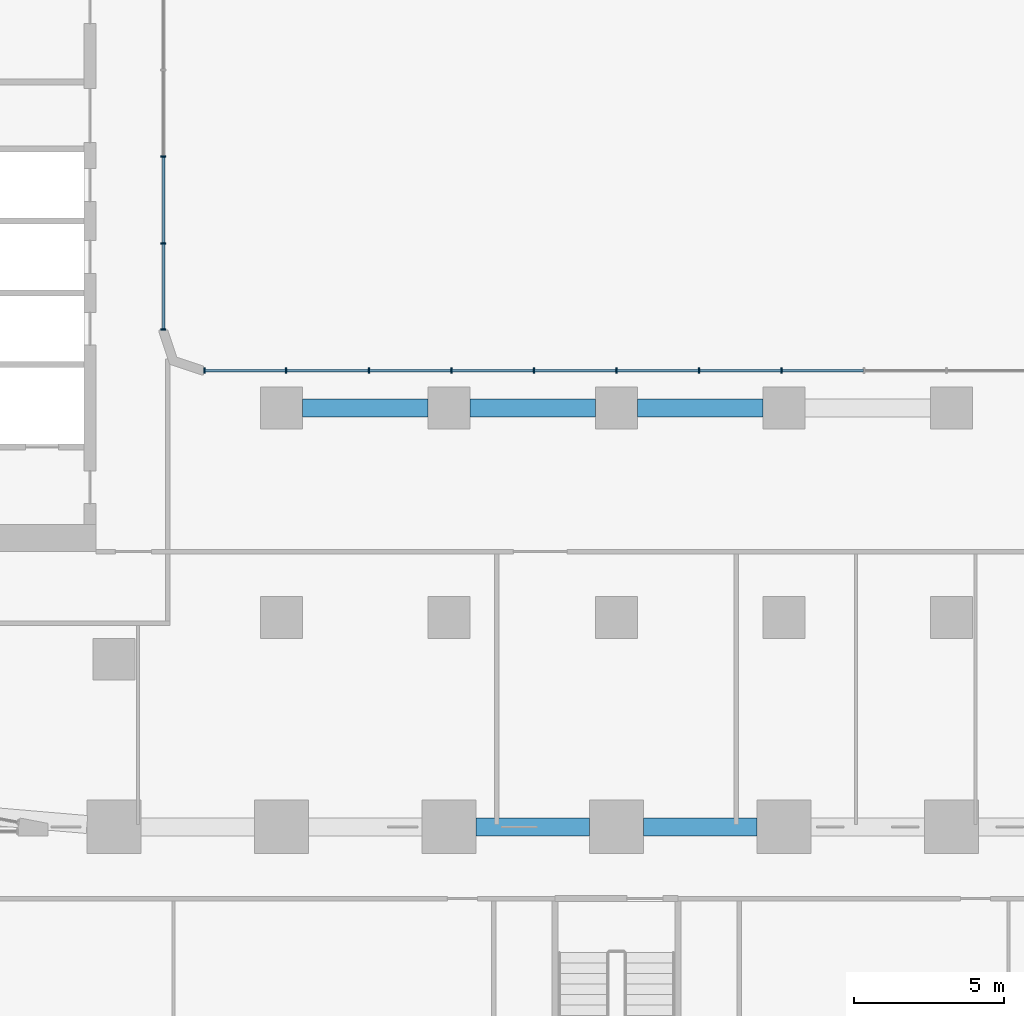
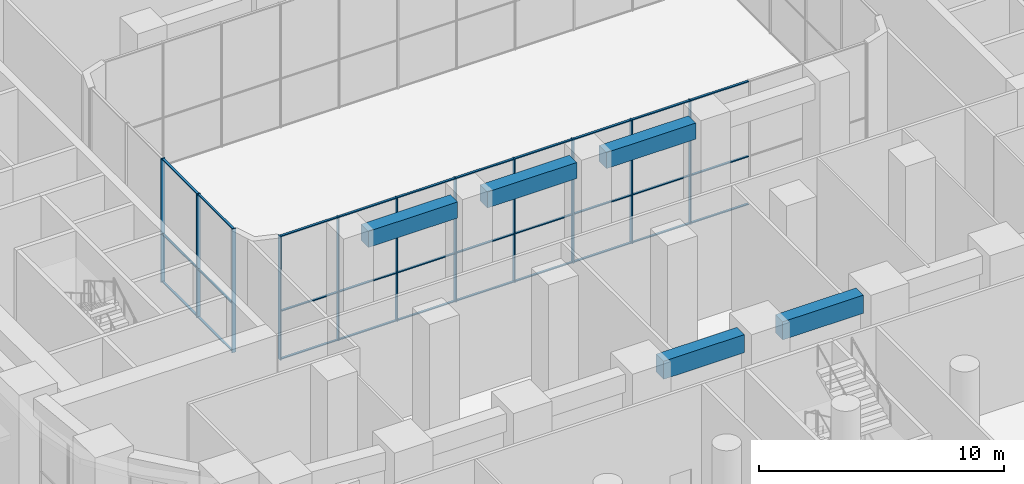
# One storey, part 11 of 51: 41 members, 5 beams, 2 elements without a shape of their own.
"""IFC4 building model written with IfcOpenShell, lengths in metres."""

import ifcopenshell
import ifcopenshell.guid

model = None  # the IFC model being written
_history = None  # IfcOwnerHistory: only IFC2X3 demands one
_inside = {}  # id of a spatial element -> (the spatial element, [elements in it])
_under = {}  # id of a project, library or spatial element -> (it, [spatial elements below it])
_declared = {}  # id of a project -> (the project, [libraries it declares])
_typed = {}  # id of a type object -> (the type object, [elements of that type])
_made_of = {}  # id of a material, layer set ... -> (it, [elements and type objects made of it])


def new_model(schema):
    """Start an empty IFC model of exactly this schema.

    Asked for "IFC4X3", IfcOpenShell would pick the latest addendum, in which some entities
    have other attributes; the version numbers below select the first issue.
    IFC2X3 requires an IfcOwnerHistory on every rooted entity: one is made here for all.
    """
    global model, _history
    if schema == "IFC4X3":
        model = ifcopenshell.file(schema_version=(4, 3, 0, 0))
    else:
        model = ifcopenshell.file(schema=schema)
    _inside.clear()
    _under.clear()
    _declared.clear()
    _typed.clear()
    _made_of.clear()
    _history = None
    if model.schema == "IFC2X3":
        org = make("IfcOrganization", Name="unknown")
        user = make(
            "IfcPersonAndOrganization",
            ThePerson=make("IfcPerson", FamilyName="unknown"),
            TheOrganization=org,
        )
        app = make(
            "IfcApplication",
            ApplicationDeveloper=org,
            Version="unknown",
            ApplicationFullName="unknown",
            ApplicationIdentifier="unknown",
        )
        _history = make(
            "IfcOwnerHistory",
            OwningUser=user,
            OwningApplication=app,
            ChangeAction="ADDED",
            CreationDate=0,
        )
    return model


def make(cls, **values):
    """One entity of the class cls with the attributes given. An attribute that is None is left unset."""
    return model.create_entity(
        cls, **{name: value for name, value in values.items() if value is not None}
    )


def rooted(cls, **values):
    """An entity with a GlobalId (a new one), such as an element, a storey or a relation."""
    return make(cls, GlobalId=ifcopenshell.guid.new(), OwnerHistory=_history, **values)


def si_unit(unit_type, name, prefix=None):
    """IfcSIUnit, for example si_unit("LENGTHUNIT", "METRE", prefix="MILLI")."""
    return make("IfcSIUnit", UnitType=unit_type, Prefix=prefix, Name=name)


def assignment(units):
    """IfcUnitAssignment: the units of a project."""
    return None if units is None else make("IfcUnitAssignment", Units=units)


def point(xyz):
    """IfcCartesianPoint."""
    return None if xyz is None else make("IfcCartesianPoint", Coordinates=xyz)


def direction(xyz):
    """IfcDirection."""
    return None if xyz is None else make("IfcDirection", DirectionRatios=xyz)


def frame(location, z_axis=None, x_axis=None):
    """IfcAxis2Placement3D, a coordinate frame: its origin and axes. An axis left out is left unset."""
    return make(
        "IfcAxis2Placement3D",
        Location=point(location),
        Axis=direction(z_axis),
        RefDirection=direction(x_axis),
    )


def frame_2d(location, x_axis=None):
    """IfcAxis2Placement2D, a coordinate frame in the plane: its origin and x axis."""
    return make(
        "IfcAxis2Placement2D", Location=point(location), RefDirection=direction(x_axis)
    )


def origin():
    """The frame at (0, 0, 0) with its axes left unset."""
    return frame((0.0, 0.0, 0.0))


def origin_2d():
    """The frame at (0, 0) in the plane with its x axis left unset."""
    return frame_2d((0.0, 0.0))


def place(relative_to, where):
    """IfcLocalPlacement: puts the frame where relative to a parent placement (None: the world)."""
    return make(
        "IfcLocalPlacement", PlacementRelTo=relative_to, RelativePlacement=where
    )


def context(
    kind, dimensions, precision=None, world=None, true_north=None, identifier=None
):
    """IfcGeometricRepresentationContext, for example the 3D "Model" context."""
    return make(
        "IfcGeometricRepresentationContext",
        ContextIdentifier=identifier,
        ContextType=kind,
        CoordinateSpaceDimension=dimensions,
        Precision=precision,
        WorldCoordinateSystem=world,
        TrueNorth=true_north,
    )


def subcontext(parent, identifier, kind, view, scale=None):
    """IfcGeometricRepresentationSubContext, for example "Body" below "Model"."""
    return make(
        "IfcGeometricRepresentationSubContext",
        ContextIdentifier=identifier,
        ContextType=kind,
        ParentContext=parent,
        TargetScale=scale,
        TargetView=view,
    )


def project(units=None, contexts=None):
    """IfcProject with its units and contexts."""
    return rooted(
        "IfcProject",
        Name="project",
        RepresentationContexts=contexts,
        UnitsInContext=assignment(units),
    )


def spatial(cls, under=None, at=None, **own):
    """A site, building, storey or space (cls), placed at a placement, below another one or the project."""
    s = rooted(cls, ObjectPlacement=at, **own)
    if under is not None:
        _under.setdefault(under.id(), (under, []))[1].append(s)
    return s


def profile(cls, at=None, kind="AREA", **sizes):
    """A parametric profile (cls). Its sizes go by their IFC names, for example OverallWidth=200.0."""
    return make(cls, ProfileType=kind, Position=at, **sizes)


def rectangle(**sizes):
    """IfcRectangleProfileDef."""
    return profile("IfcRectangleProfileDef", **sizes)


def extrude(swept, where, along, depth):
    """IfcExtrudedAreaSolid: the profile swept, set in the frame where, extruded along a direction by depth."""
    return make(
        "IfcExtrudedAreaSolid",
        SweptArea=swept,
        Position=where,
        ExtrudedDirection=direction(along),
        Depth=depth,
    )


def shape(context_of_items, identifier, shape_type, items):
    """IfcShapeRepresentation: the items that make up one representation, for example the "Body"."""
    return make(
        "IfcShapeRepresentation",
        ContextOfItems=context_of_items,
        RepresentationIdentifier=identifier,
        RepresentationType=shape_type,
        Items=items,
    )


def material(Name=None, Category=None):
    """IfcMaterial."""
    return make("IfcMaterial", Name=Name, Category=Category)


def layer(
    of_material, thickness, ventilated=None, Name=None, Category=None, Priority=None
):
    """IfcMaterialLayer: one layer of a wall or slab, of a material (None: an air gap)."""
    return make(
        "IfcMaterialLayer",
        Material=of_material,
        LayerThickness=thickness,
        IsVentilated=ventilated,
        Name=Name,
        Category=Category,
        Priority=Priority,
    )


def layer_set(layers, Name=None):
    """IfcMaterialLayerSet."""
    return make("IfcMaterialLayerSet", MaterialLayers=layers, LayerSetName=Name)


def material_profile(
    of_material, cross_section, Name=None, Category=None, Priority=None
):
    """IfcMaterialProfile: a cross section and its material."""
    return make(
        "IfcMaterialProfile",
        Name=Name,
        Material=of_material,
        Profile=cross_section,
        Priority=Priority,
        Category=Category,
    )


def profile_set(profiles, Name=None, composite=None):
    """IfcMaterialProfileSet."""
    return make(
        "IfcMaterialProfileSet",
        Name=Name,
        MaterialProfiles=profiles,
        CompositeProfile=composite,
    )


def made_of(thing, what):
    """Note that an element or type object is made of a material, layer set ...; save() writes the relation."""
    if what is not None:
        _made_of.setdefault(what.id(), (what, []))[1].append(thing)
    return thing


def type_object(cls, material=None, **own):
    """A type object (cls), such as IfcWallType, which elements share."""
    return made_of(rooted(cls, **own), material)


def element(
    cls,
    number,
    at=None,
    inside=None,
    cuts=None,
    type_object=None,
    material=None,
    context=None,
    identifier="Body",
    shape_type=None,
    held_by="IfcProductDefinitionShape",
    body=None,
    shapes=None,
    **own,
):
    """One element of the class cls, such as IfcWall. Its Tag is "e" and its number.

    at: its placement. inside: the storey or other place that contains it. cuts: it is an
    opening in that element (IfcRelVoidsElement). A single representation is given by context,
    identifier, shape_type and body (its items); several are given by shapes. held_by: the class
    of the entity that holds the representations. save() writes the other relations.
    """
    e = rooted(cls, Tag="e%d" % number, ObjectPlacement=at, **own)
    if body is not None:
        shapes = [shape(context, identifier, shape_type, body)]
    if shapes is not None:
        e.Representation = make(held_by, Representations=shapes)
    if inside is not None:
        _inside.setdefault(inside.id(), (inside, []))[1].append(e)
    if cuts is not None:
        rooted(
            "IfcRelVoidsElement", RelatingBuildingElement=cuts, RelatedOpeningElement=e
        )
    if type_object is not None:
        _typed.setdefault(type_object.id(), (type_object, []))[1].append(e)
    return made_of(e, material)


def aggregate(whole, parts):
    """IfcRelAggregates: a whole, such as a stair, and the parts it consists of."""
    return rooted("IfcRelAggregates", RelatingObject=whole, RelatedObjects=parts)


def save(model, path):
    """Write the relations noted so far, then the file.

    IfcRelAggregates (storeys below a building ...), IfcRelContainedInSpatialStructure (elements
    in a storey), IfcRelDefinesByType, IfcRelAssociatesMaterial and IfcRelDeclares: one each for
    every whole, place, type object, material and project.
    """
    for whole, parts in _under.values():
        aggregate(whole, parts)
    for where, things in _inside.values():
        rooted(
            "IfcRelContainedInSpatialStructure",
            RelatedElements=things,
            RelatingStructure=where,
        )
    for kind, things in _typed.values():
        rooted("IfcRelDefinesByType", RelatedObjects=things, RelatingType=kind)
    for what, things in _made_of.values():
        rooted("IfcRelAssociatesMaterial", RelatedObjects=things, RelatingMaterial=what)
    for by, libraries in _declared.values():
        rooted("IfcRelDeclares", RelatingContext=by, RelatedDefinitions=libraries)
    model.write(path)


model = new_model("IFC4")

# Units and contexts
model_context = context("Model", 3, precision=1e-05, world=origin(), true_north=direction((0.0, 1.0)))
body_context = subcontext(model_context, "Body", "Model", "MODEL_VIEW")
ifc_project = project(units=[si_unit("LENGTHUNIT", "METRE"), si_unit("AREAUNIT", "SQUARE_METRE"), si_unit("VOLUMEUNIT", "CUBIC_METRE"), si_unit("PLANEANGLEUNIT", "RADIAN"), si_unit("MASSUNIT", "GRAM", prefix="KILO")], contexts=[model_context])

# Site, building, storey
site_placement = place(None, origin())
site = spatial("IfcSite", under=ifc_project, at=site_placement, CompositionType="ELEMENT")
building_placement = place(site_placement, origin())
building = spatial("IfcBuilding", under=site, at=building_placement, Name="Kiln Ring Residences", CompositionType="ELEMENT")
storey_placement = place(building_placement, origin())
storey = spatial("IfcBuildingStorey", under=building, at=storey_placement, Name="L00", CompositionType="ELEMENT", Elevation=0.0)

# Curtain wall, members
ifc_material_1 = material(Name="Aluminium and glass", Category="aluminium")
ifc_layer = layer(ifc_material_1, 0.179931640625)
ifc_layer_set = layer_set([ifc_layer], Name="CW2 CURTAIN WALL")
curtain_wall_type = type_object("IfcCurtainWallType", Name="CW2 CURTAIN WALL", PredefinedType="NOTDEFINED", material=ifc_layer_set)
placement = place(storey_placement, origin())
curtain_wall_1 = element("IfcCurtainWall", 1, at=placement, inside=storey, type_object=curtain_wall_type, Name="Curtain wall CW2 L00", PredefinedType="NOTDEFINED")
ifc_material_2 = material(Name="Aluminium 6063-T6", Category="aluminium")
ifc_material_profile_1 = material_profile(ifc_material_2, rectangle(XDim=0.179931640625, YDim=0.050048828125, at=origin_2d()), Name="AL 180x50")
ifc_profile_set_1 = profile_set([ifc_material_profile_1], Name="Aluminium 6063-T6")
member_type_1 = type_object("IfcMemberType", Name="CW2 MULLION 180 x 50", PredefinedType="MULLION", material=ifc_profile_set_1)
member_1_placement = place(storey_placement, frame((-15.14990234375, -5.77490234375, 0.0), z_axis=(0.0, 0.0, 1.0), x_axis=(-1.0, 0.0, 0.0)))
member_1 = element("IfcMember", 2, at=member_1_placement, type_object=member_type_1, Name="CW2 mullion 1", PredefinedType="MULLION", context=body_context, shape_type="SweptSolid", body=[
    extrude(rectangle(XDim=0.179931640625, YDim=0.050048828125, at=origin_2d()), origin(), (0.0, 0.0, 1.0), 6.14990234375),
])
member_2_placement = place(storey_placement, frame((-15.14990234375, -2.89990234375, 0.0), z_axis=(0.0, 0.0, 1.0), x_axis=(-1.0, 0.0, 0.0)))
member_2 = element("IfcMember", 3, at=member_2_placement, type_object=member_type_1, Name="CW2 mullion 2", PredefinedType="MULLION", context=body_context, shape_type="SweptSolid", body=[
    extrude(rectangle(XDim=0.179931640625, YDim=0.050048828125, at=origin_2d()), origin(), (0.0, 0.0, 1.0), 6.14990234375),
])
member_3_placement = place(storey_placement, frame((-15.14990234375, 0.0, 0.0), z_axis=(0.0, 0.0, 1.0), x_axis=(-1.0, 0.0, 0.0)))
member_3 = element("IfcMember", 4, at=member_3_placement, type_object=member_type_1, Name="CW2 mullion 3", PredefinedType="MULLION", context=body_context, shape_type="SweptSolid", body=[
    extrude(rectangle(XDim=0.179931640625, YDim=0.050048828125, at=origin_2d()), origin(), (0.0, 0.0, 1.0), 6.14990234375),
])

curtain_wall_2 = element("IfcCurtainWall", 5, at=placement, inside=storey, type_object=curtain_wall_type, Name="Curtain wall CW2 L00", PredefinedType="NOTDEFINED")
member_4_placement = place(storey_placement, frame((5.52001953125, -7.14990234375, 0.0), z_axis=(0.0, 0.0, 1.0), x_axis=(0.0, -1.0, 0.0)))
member_4 = element("IfcMember", 6, at=member_4_placement, type_object=member_type_1, Name="CW2 mullion 4", PredefinedType="MULLION", context=body_context, shape_type="SweptSolid", body=[
    extrude(rectangle(XDim=0.179931640625, YDim=0.050048828125, at=origin_2d()), origin(), (0.0, 0.0, 1.0), 6.14990234375),
])
member_5_placement = place(storey_placement, frame((2.760009765625, -7.14990234375, 0.0), z_axis=(0.0, 0.0, 1.0), x_axis=(0.0, -1.0, 0.0)))
member_5 = element("IfcMember", 7, at=member_5_placement, type_object=member_type_1, Name="CW2 mullion 5", PredefinedType="MULLION", context=body_context, shape_type="SweptSolid", body=[
    extrude(rectangle(XDim=0.179931640625, YDim=0.050048828125, at=origin_2d()), origin(), (0.0, 0.0, 1.0), 6.14990234375),
])
member_6_placement = place(storey_placement, frame((0.0, -7.14990234375, 0.0), z_axis=(0.0, 0.0, 1.0), x_axis=(0.0, -1.0, 0.0)))
member_6 = element("IfcMember", 8, at=member_6_placement, type_object=member_type_1, Name="CW2 mullion 6", PredefinedType="MULLION", context=body_context, shape_type="SweptSolid", body=[
    extrude(rectangle(XDim=0.179931640625, YDim=0.050048828125, at=origin_2d()), origin(), (0.0, 0.0, 1.0), 6.14990234375),
])
member_7_placement = place(storey_placement, frame((-2.760009765625, -7.14990234375, 0.0), z_axis=(0.0, 0.0, 1.0), x_axis=(0.0, -1.0, 0.0)))
member_7 = element("IfcMember", 9, at=member_7_placement, type_object=member_type_1, Name="CW2 mullion 7", PredefinedType="MULLION", context=body_context, shape_type="SweptSolid", body=[
    extrude(rectangle(XDim=0.179931640625, YDim=0.050048828125, at=origin_2d()), origin(), (0.0, 0.0, 1.0), 6.14990234375),
])
member_8_placement = place(storey_placement, frame((-5.52001953125, -7.14990234375, 0.0), z_axis=(0.0, 0.0, 1.0), x_axis=(0.0, -1.0, 0.0)))
member_8 = element("IfcMember", 10, at=member_8_placement, type_object=member_type_1, Name="CW2 mullion 8", PredefinedType="MULLION", context=body_context, shape_type="SweptSolid", body=[
    extrude(rectangle(XDim=0.179931640625, YDim=0.050048828125, at=origin_2d()), origin(), (0.0, 0.0, 1.0), 6.14990234375),
])
member_9_placement = place(storey_placement, frame((-8.280029296875, -7.14990234375, 0.0), z_axis=(0.0, 0.0, 1.0), x_axis=(0.0, -1.0, 0.0)))
member_9 = element("IfcMember", 11, at=member_9_placement, type_object=member_type_1, Name="CW2 mullion 9", PredefinedType="MULLION", context=body_context, shape_type="SweptSolid", body=[
    extrude(rectangle(XDim=0.179931640625, YDim=0.050048828125, at=origin_2d()), origin(), (0.0, 0.0, 1.0), 6.14990234375),
])
member_10_placement = place(storey_placement, frame((-11.0400390625, -7.14990234375, 0.0), z_axis=(0.0, 0.0, 1.0), x_axis=(0.0, -1.0, 0.0)))
member_10 = element("IfcMember", 12, at=member_10_placement, type_object=member_type_1, Name="CW2 mullion 10", PredefinedType="MULLION", context=body_context, shape_type="SweptSolid", body=[
    extrude(rectangle(XDim=0.179931640625, YDim=0.050048828125, at=origin_2d()), origin(), (0.0, 0.0, 1.0), 6.14990234375),
])
member_11_placement = place(storey_placement, frame((-13.77490234375, -7.14990234375, 0.0), z_axis=(0.0, 0.0, 1.0), x_axis=(0.0, -1.0, 0.0)))
member_11 = element("IfcMember", 13, at=member_11_placement, type_object=member_type_1, Name="CW2 mullion 11", PredefinedType="MULLION", context=body_context, shape_type="SweptSolid", body=[
    extrude(rectangle(XDim=0.179931640625, YDim=0.050048828125, at=origin_2d()), origin(), (0.0, 0.0, 1.0), 6.14990234375),
])

# Member
ifc_material_3 = material(Name="Aluminium 6063-T6", Category="aluminium")
ifc_material_profile_2 = material_profile(ifc_material_3, rectangle(XDim=0.10009765625, YDim=0.050048828125, at=origin_2d()), Name="AL 100x50")
ifc_profile_set_2 = profile_set([ifc_material_profile_2], Name="Aluminium 6063-T6")
member_type_2 = type_object("IfcMemberType", Name="CW2 TRANSOM 100 x 50", PredefinedType="USERDEFINED", material=ifc_profile_set_2)
member_12_placement = place(storey_placement, frame((-15.14990234375, -5.75, 0.02490234375), z_axis=(0.0, 1.0, 0.0), x_axis=(-1.0, 0.0, 0.0)))
member_12 = element("IfcMember", 14, at=member_12_placement, type_object=member_type_2, Name="CW2 transom 1.1", ObjectType="TRANSOM", PredefinedType="USERDEFINED", context=body_context, shape_type="SweptSolid", body=[
    extrude(rectangle(XDim=0.10009765625, YDim=0.050048828125, at=origin_2d()), origin(), (0.0, 0.0, 1.0), 2.824951171875),
])

member_13_placement = place(storey_placement, frame((-15.14990234375, -5.75, 2.39990234375), z_axis=(0.0, 1.0, 0.0), x_axis=(-1.0, 0.0, 0.0)))
member_13 = element("IfcMember", 15, at=member_13_placement, type_object=member_type_2, Name="CW2 transom 1.2", ObjectType="TRANSOM", PredefinedType="USERDEFINED", context=body_context, shape_type="SweptSolid", body=[
    extrude(rectangle(XDim=0.10009765625, YDim=0.050048828125, at=origin_2d()), origin(), (0.0, 0.0, 1.0), 2.824951171875),
])

member_14_placement = place(storey_placement, frame((-15.14990234375, -5.75, 6.125), z_axis=(0.0, 1.0, 0.0), x_axis=(-1.0, 0.0, 0.0)))
member_14 = element("IfcMember", 16, at=member_14_placement, type_object=member_type_2, Name="CW2 transom 1.3", ObjectType="TRANSOM", PredefinedType="USERDEFINED", context=body_context, shape_type="SweptSolid", body=[
    extrude(rectangle(XDim=0.10009765625, YDim=0.050048828125, at=origin_2d()), origin(), (0.0, 0.0, 1.0), 2.824951171875),
])

member_15_placement = place(storey_placement, frame((-15.14990234375, -2.875, 0.02490234375), z_axis=(0.0, 1.0, 0.0), x_axis=(-1.0, 0.0, 0.0)))
member_15 = element("IfcMember", 17, at=member_15_placement, type_object=member_type_2, Name="CW2 transom 2.1", ObjectType="TRANSOM", PredefinedType="USERDEFINED", context=body_context, shape_type="SweptSolid", body=[
    extrude(rectangle(XDim=0.10009765625, YDim=0.050048828125, at=origin_2d()), origin(), (0.0, 0.0, 1.0), 2.85009765625),
])

member_16_placement = place(storey_placement, frame((-15.14990234375, -2.875, 2.39990234375), z_axis=(0.0, 1.0, 0.0), x_axis=(-1.0, 0.0, 0.0)))
member_16 = element("IfcMember", 18, at=member_16_placement, type_object=member_type_2, Name="CW2 transom 2.2", ObjectType="TRANSOM", PredefinedType="USERDEFINED", context=body_context, shape_type="SweptSolid", body=[
    extrude(rectangle(XDim=0.10009765625, YDim=0.050048828125, at=origin_2d()), origin(), (0.0, 0.0, 1.0), 2.85009765625),
])

member_17_placement = place(storey_placement, frame((-15.14990234375, -2.875, 6.125), z_axis=(0.0, 1.0, 0.0), x_axis=(-1.0, 0.0, 0.0)))
member_17 = element("IfcMember", 19, at=member_17_placement, type_object=member_type_2, Name="CW2 transom 2.3", ObjectType="TRANSOM", PredefinedType="USERDEFINED", context=body_context, shape_type="SweptSolid", body=[
    extrude(rectangle(XDim=0.10009765625, YDim=0.050048828125, at=origin_2d()), origin(), (0.0, 0.0, 1.0), 2.85009765625),
])

aggregate(curtain_wall_1, [member_1, member_2, member_3, member_12, member_13, member_14, member_15, member_16, member_17])

member_18_placement = place(storey_placement, frame((8.2548828125, -7.14990234375, 0.02490234375), z_axis=(-1.0, 0.0, 0.0), x_axis=(0.0, -1.0, 0.0)))
member_18 = element("IfcMember", 20, at=member_18_placement, type_object=member_type_2, Name="CW2 transom 3.1", ObjectType="TRANSOM", PredefinedType="USERDEFINED", context=body_context, shape_type="SweptSolid", body=[
    extrude(rectangle(XDim=0.10009765625, YDim=0.050048828125, at=origin_2d()), origin(), (0.0, 0.0, 1.0), 2.7099609375),
])

member_19_placement = place(storey_placement, frame((8.2548828125, -7.14990234375, 2.39990234375), z_axis=(-1.0, 0.0, 0.0), x_axis=(0.0, -1.0, 0.0)))
member_19 = element("IfcMember", 21, at=member_19_placement, type_object=member_type_2, Name="CW2 transom 3.2", ObjectType="TRANSOM", PredefinedType="USERDEFINED", context=body_context, shape_type="SweptSolid", body=[
    extrude(rectangle(XDim=0.10009765625, YDim=0.050048828125, at=origin_2d()), origin(), (0.0, 0.0, 1.0), 2.7099609375),
])

member_20_placement = place(storey_placement, frame((8.2548828125, -7.14990234375, 6.125), z_axis=(-1.0, 0.0, 0.0), x_axis=(0.0, -1.0, 0.0)))
member_20 = element("IfcMember", 22, at=member_20_placement, type_object=member_type_2, Name="CW2 transom 3.3", ObjectType="TRANSOM", PredefinedType="USERDEFINED", context=body_context, shape_type="SweptSolid", body=[
    extrude(rectangle(XDim=0.10009765625, YDim=0.050048828125, at=origin_2d()), origin(), (0.0, 0.0, 1.0), 2.7099609375),
])

member_21_placement = place(storey_placement, frame((5.4951171875, -7.14990234375, 0.02490234375), z_axis=(-1.0, 0.0, 0.0), x_axis=(0.0, -1.0, 0.0)))
member_21 = element("IfcMember", 23, at=member_21_placement, type_object=member_type_2, Name="CW2 transom 4.1", ObjectType="TRANSOM", PredefinedType="USERDEFINED", context=body_context, shape_type="SweptSolid", body=[
    extrude(rectangle(XDim=0.10009765625, YDim=0.050048828125, at=origin_2d()), origin(), (0.0, 0.0, 1.0), 2.710205078125),
])

member_22_placement = place(storey_placement, frame((5.4951171875, -7.14990234375, 2.39990234375), z_axis=(-1.0, 0.0, 0.0), x_axis=(0.0, -1.0, 0.0)))
member_22 = element("IfcMember", 24, at=member_22_placement, type_object=member_type_2, Name="CW2 transom 4.2", ObjectType="TRANSOM", PredefinedType="USERDEFINED", context=body_context, shape_type="SweptSolid", body=[
    extrude(rectangle(XDim=0.10009765625, YDim=0.050048828125, at=origin_2d()), origin(), (0.0, 0.0, 1.0), 2.710205078125),
])

member_23_placement = place(storey_placement, frame((5.4951171875, -7.14990234375, 6.125), z_axis=(-1.0, 0.0, 0.0), x_axis=(0.0, -1.0, 0.0)))
member_23 = element("IfcMember", 25, at=member_23_placement, type_object=member_type_2, Name="CW2 transom 4.3", ObjectType="TRANSOM", PredefinedType="USERDEFINED", context=body_context, shape_type="SweptSolid", body=[
    extrude(rectangle(XDim=0.10009765625, YDim=0.050048828125, at=origin_2d()), origin(), (0.0, 0.0, 1.0), 2.710205078125),
])

member_24_placement = place(storey_placement, frame((2.735107421875, -7.14990234375, 0.02490234375), z_axis=(-1.0, 0.0, 0.0), x_axis=(0.0, -1.0, 0.0)))
member_24 = element("IfcMember", 26, at=member_24_placement, type_object=member_type_2, Name="CW2 transom 5.1", ObjectType="TRANSOM", PredefinedType="USERDEFINED", context=body_context, shape_type="SweptSolid", body=[
    extrude(rectangle(XDim=0.10009765625, YDim=0.050048828125, at=origin_2d()), origin(), (0.0, 0.0, 1.0), 2.710205078125),
])

member_25_placement = place(storey_placement, frame((2.735107421875, -7.14990234375, 2.39990234375), z_axis=(-1.0, 0.0, 0.0), x_axis=(0.0, -1.0, 0.0)))
member_25 = element("IfcMember", 27, at=member_25_placement, type_object=member_type_2, Name="CW2 transom 5.2", ObjectType="TRANSOM", PredefinedType="USERDEFINED", context=body_context, shape_type="SweptSolid", body=[
    extrude(rectangle(XDim=0.10009765625, YDim=0.050048828125, at=origin_2d()), origin(), (0.0, 0.0, 1.0), 2.710205078125),
])

member_26_placement = place(storey_placement, frame((2.735107421875, -7.14990234375, 6.125), z_axis=(-1.0, 0.0, 0.0), x_axis=(0.0, -1.0, 0.0)))
member_26 = element("IfcMember", 28, at=member_26_placement, type_object=member_type_2, Name="CW2 transom 5.3", ObjectType="TRANSOM", PredefinedType="USERDEFINED", context=body_context, shape_type="SweptSolid", body=[
    extrude(rectangle(XDim=0.10009765625, YDim=0.050048828125, at=origin_2d()), origin(), (0.0, 0.0, 1.0), 2.710205078125),
])

member_27_placement = place(storey_placement, frame((-0.02490234375, -7.14990234375, 0.02490234375), z_axis=(-1.0, 0.0, 0.0), x_axis=(0.0, -1.0, 0.0)))
member_27 = element("IfcMember", 29, at=member_27_placement, type_object=member_type_2, Name="CW2 transom 6.1", ObjectType="TRANSOM", PredefinedType="USERDEFINED", context=body_context, shape_type="SweptSolid", body=[
    extrude(rectangle(XDim=0.10009765625, YDim=0.050048828125, at=origin_2d()), origin(), (0.0, 0.0, 1.0), 2.710205078125),
])

member_28_placement = place(storey_placement, frame((-0.02490234375, -7.14990234375, 2.39990234375), z_axis=(-1.0, 0.0, 0.0), x_axis=(0.0, -1.0, 0.0)))
member_28 = element("IfcMember", 30, at=member_28_placement, type_object=member_type_2, Name="CW2 transom 6.2", ObjectType="TRANSOM", PredefinedType="USERDEFINED", context=body_context, shape_type="SweptSolid", body=[
    extrude(rectangle(XDim=0.10009765625, YDim=0.050048828125, at=origin_2d()), origin(), (0.0, 0.0, 1.0), 2.710205078125),
])

member_29_placement = place(storey_placement, frame((-0.02490234375, -7.14990234375, 6.125), z_axis=(-1.0, 0.0, 0.0), x_axis=(0.0, -1.0, 0.0)))
member_29 = element("IfcMember", 31, at=member_29_placement, type_object=member_type_2, Name="CW2 transom 6.3", ObjectType="TRANSOM", PredefinedType="USERDEFINED", context=body_context, shape_type="SweptSolid", body=[
    extrude(rectangle(XDim=0.10009765625, YDim=0.050048828125, at=origin_2d()), origin(), (0.0, 0.0, 1.0), 2.710205078125),
])

member_30_placement = place(storey_placement, frame((-2.784912109375, -7.14990234375, 0.02490234375), z_axis=(-1.0, 0.0, 0.0), x_axis=(0.0, -1.0, 0.0)))
member_30 = element("IfcMember", 32, at=member_30_placement, type_object=member_type_2, Name="CW2 transom 7.1", ObjectType="TRANSOM", PredefinedType="USERDEFINED", context=body_context, shape_type="SweptSolid", body=[
    extrude(rectangle(XDim=0.10009765625, YDim=0.050048828125, at=origin_2d()), origin(), (0.0, 0.0, 1.0), 2.710205078125),
])

member_31_placement = place(storey_placement, frame((-2.784912109375, -7.14990234375, 2.39990234375), z_axis=(-1.0, 0.0, 0.0), x_axis=(0.0, -1.0, 0.0)))
member_31 = element("IfcMember", 33, at=member_31_placement, type_object=member_type_2, Name="CW2 transom 7.2", ObjectType="TRANSOM", PredefinedType="USERDEFINED", context=body_context, shape_type="SweptSolid", body=[
    extrude(rectangle(XDim=0.10009765625, YDim=0.050048828125, at=origin_2d()), origin(), (0.0, 0.0, 1.0), 2.710205078125),
])

member_32_placement = place(storey_placement, frame((-2.784912109375, -7.14990234375, 6.125), z_axis=(-1.0, 0.0, 0.0), x_axis=(0.0, -1.0, 0.0)))
member_32 = element("IfcMember", 34, at=member_32_placement, type_object=member_type_2, Name="CW2 transom 7.3", ObjectType="TRANSOM", PredefinedType="USERDEFINED", context=body_context, shape_type="SweptSolid", body=[
    extrude(rectangle(XDim=0.10009765625, YDim=0.050048828125, at=origin_2d()), origin(), (0.0, 0.0, 1.0), 2.710205078125),
])

member_33_placement = place(storey_placement, frame((-5.544921875, -7.14990234375, 0.02490234375), z_axis=(-1.0, 0.0, 0.0), x_axis=(0.0, -1.0, 0.0)))
member_33 = element("IfcMember", 35, at=member_33_placement, type_object=member_type_2, Name="CW2 transom 8.1", ObjectType="TRANSOM", PredefinedType="USERDEFINED", context=body_context, shape_type="SweptSolid", body=[
    extrude(rectangle(XDim=0.10009765625, YDim=0.050048828125, at=origin_2d()), origin(), (0.0, 0.0, 1.0), 2.7099609375),
])

member_34_placement = place(storey_placement, frame((-5.544921875, -7.14990234375, 2.39990234375), z_axis=(-1.0, 0.0, 0.0), x_axis=(0.0, -1.0, 0.0)))
member_34 = element("IfcMember", 36, at=member_34_placement, type_object=member_type_2, Name="CW2 transom 8.2", ObjectType="TRANSOM", PredefinedType="USERDEFINED", context=body_context, shape_type="SweptSolid", body=[
    extrude(rectangle(XDim=0.10009765625, YDim=0.050048828125, at=origin_2d()), origin(), (0.0, 0.0, 1.0), 2.7099609375),
])

member_35_placement = place(storey_placement, frame((-5.544921875, -7.14990234375, 6.125), z_axis=(-1.0, 0.0, 0.0), x_axis=(0.0, -1.0, 0.0)))
member_35 = element("IfcMember", 37, at=member_35_placement, type_object=member_type_2, Name="CW2 transom 8.3", ObjectType="TRANSOM", PredefinedType="USERDEFINED", context=body_context, shape_type="SweptSolid", body=[
    extrude(rectangle(XDim=0.10009765625, YDim=0.050048828125, at=origin_2d()), origin(), (0.0, 0.0, 1.0), 2.7099609375),
])

member_36_placement = place(storey_placement, frame((-8.304931640625, -7.14990234375, 0.02490234375), z_axis=(-1.0, 0.0, 0.0), x_axis=(0.0, -1.0, 0.0)))
member_36 = element("IfcMember", 38, at=member_36_placement, type_object=member_type_2, Name="CW2 transom 9.1", ObjectType="TRANSOM", PredefinedType="USERDEFINED", context=body_context, shape_type="SweptSolid", body=[
    extrude(rectangle(XDim=0.10009765625, YDim=0.050048828125, at=origin_2d()), origin(), (0.0, 0.0, 1.0), 2.7099609375),
])

member_37_placement = place(storey_placement, frame((-8.304931640625, -7.14990234375, 2.39990234375), z_axis=(-1.0, 0.0, 0.0), x_axis=(0.0, -1.0, 0.0)))
member_37 = element("IfcMember", 39, at=member_37_placement, type_object=member_type_2, Name="CW2 transom 9.2", ObjectType="TRANSOM", PredefinedType="USERDEFINED", context=body_context, shape_type="SweptSolid", body=[
    extrude(rectangle(XDim=0.10009765625, YDim=0.050048828125, at=origin_2d()), origin(), (0.0, 0.0, 1.0), 2.7099609375),
])

member_38_placement = place(storey_placement, frame((-8.304931640625, -7.14990234375, 6.125), z_axis=(-1.0, 0.0, 0.0), x_axis=(0.0, -1.0, 0.0)))
member_38 = element("IfcMember", 40, at=member_38_placement, type_object=member_type_2, Name="CW2 transom 9.3", ObjectType="TRANSOM", PredefinedType="USERDEFINED", context=body_context, shape_type="SweptSolid", body=[
    extrude(rectangle(XDim=0.10009765625, YDim=0.050048828125, at=origin_2d()), origin(), (0.0, 0.0, 1.0), 2.7099609375),
])

member_39_placement = place(storey_placement, frame((-11.06494140625, -7.14990234375, 0.02490234375), z_axis=(-1.0, 0.0, 0.0), x_axis=(0.0, -1.0, 0.0)))
member_39 = element("IfcMember", 41, at=member_39_placement, type_object=member_type_2, Name="CW2 transom 10.1", ObjectType="TRANSOM", PredefinedType="USERDEFINED", context=body_context, shape_type="SweptSolid", body=[
    extrude(rectangle(XDim=0.10009765625, YDim=0.050048828125, at=origin_2d()), origin(), (0.0, 0.0, 1.0), 2.68505859375),
])

member_40_placement = place(storey_placement, frame((-11.06494140625, -7.14990234375, 2.39990234375), z_axis=(-1.0, 0.0, 0.0), x_axis=(0.0, -1.0, 0.0)))
member_40 = element("IfcMember", 42, at=member_40_placement, type_object=member_type_2, Name="CW2 transom 10.2", ObjectType="TRANSOM", PredefinedType="USERDEFINED", context=body_context, shape_type="SweptSolid", body=[
    extrude(rectangle(XDim=0.10009765625, YDim=0.050048828125, at=origin_2d()), origin(), (0.0, 0.0, 1.0), 2.68505859375),
])

member_41_placement = place(storey_placement, frame((-11.06494140625, -7.14990234375, 6.125), z_axis=(-1.0, 0.0, 0.0), x_axis=(0.0, -1.0, 0.0)))
member_41 = element("IfcMember", 43, at=member_41_placement, type_object=member_type_2, Name="CW2 transom 10.3", ObjectType="TRANSOM", PredefinedType="USERDEFINED", context=body_context, shape_type="SweptSolid", body=[
    extrude(rectangle(XDim=0.10009765625, YDim=0.050048828125, at=origin_2d()), origin(), (0.0, 0.0, 1.0), 2.68505859375),
])

aggregate(curtain_wall_2, [member_4, member_5, member_6, member_7, member_8, member_9, member_10, member_11, member_18, member_19, member_20, member_21, member_22, member_23, member_24, member_25, member_26, member_27, member_28, member_29, member_30, member_31, member_32, member_33, member_34, member_35, member_36, member_37, member_38, member_39, member_40, member_41])

# Beams
ifc_material_4 = material(Name="Concrete C50/60", Category="concrete")
ifc_material_profile_3 = material_profile(ifc_material_4, rectangle(XDim=0.60009765625, YDim=0.800048828125, at=origin_2d()), Name="RC600x800")
ifc_profile_set_3 = profile_set([ifc_material_profile_3], Name="Concrete C50/60")
beam_type_1 = type_object("IfcBeamType", Name="Ring beam RC600x800 C50/60", PredefinedType="BEAM", material=ifc_profile_set_3)
for number, where, z_axis, x_axis, name in (
    (44, (-10.5, -8.39990234375, 5.75), (1.0, 0.0, 0.0), (0.0, 1.0, 0.0), "Ring beam L00 29"),
    (45, (-4.89990234375, -8.39990234375, 5.75), (1.0, 0.0, 0.0), (0.0, 1.0, 0.0), "Ring beam L00 30"),
    (46, (0.699951171875, -8.39990234375, 5.75), (1.0, 0.0, 0.0), (0.0, 1.0, 0.0), "Ring beam L00 31"),
):
    element("IfcBeam", number, at=place(storey_placement, frame(where, z_axis=z_axis, x_axis=x_axis)), inside=storey, type_object=beam_type_1, Name=name, PredefinedType="BEAM", context=body_context, shape_type="SweptSolid", body=[
        extrude(rectangle(XDim=0.60009765625, YDim=0.800048828125, at=origin_2d()), origin(), (0.0, 0.0, 1.0), 4.199951171875),
    ])
ifc_material_5 = material(Name="Concrete C50/60", Category="concrete")
ifc_material_profile_4 = material_profile(ifc_material_5, rectangle(XDim=0.60009765625, YDim=0.89990234375, at=origin_2d()), Name="RC600x900")
ifc_profile_set_4 = profile_set([ifc_material_profile_4], Name="Concrete C50/60")
beam_type_2 = type_object("IfcBeamType", Name="Spandrel beam RC600x900 C50/60", PredefinedType="SPANDREL", material=ifc_profile_set_4)
for number, where, z_axis, x_axis, name in (
    (47, (-4.699951171875, -22.39990234375, 5.699951171875), (1.0, 0.0, 0.0), (0.0, 1.0, 0.0), "Spandrel beam L00 4"),
    (48, (0.89990234375, -22.39990234375, 5.699951171875), (1.0, 0.0, 0.0), (0.0, 1.0, 0.0), "Spandrel beam L00 5"),
):
    element("IfcBeam", number, at=place(storey_placement, frame(where, z_axis=z_axis, x_axis=x_axis)), inside=storey, type_object=beam_type_2, Name=name, PredefinedType="SPANDREL", context=body_context, shape_type="SweptSolid", body=[
        extrude(rectangle(XDim=0.60009765625, YDim=0.89990234375, at=origin_2d()), origin(), (0.0, 0.0, 1.0), 3.800048828125),
    ])

save(model, "model.ifc")
